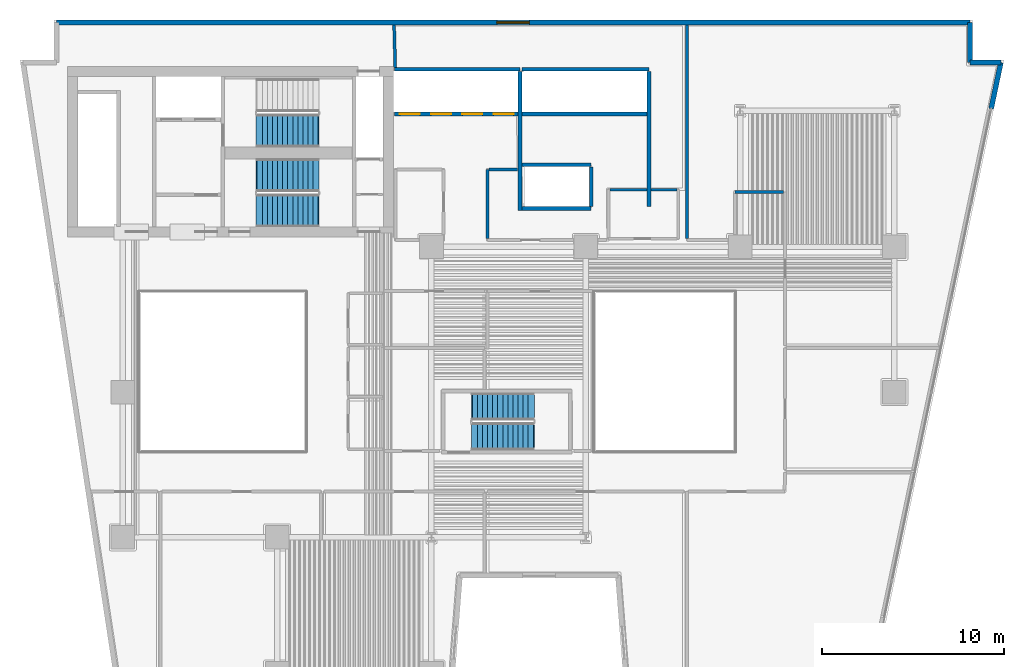
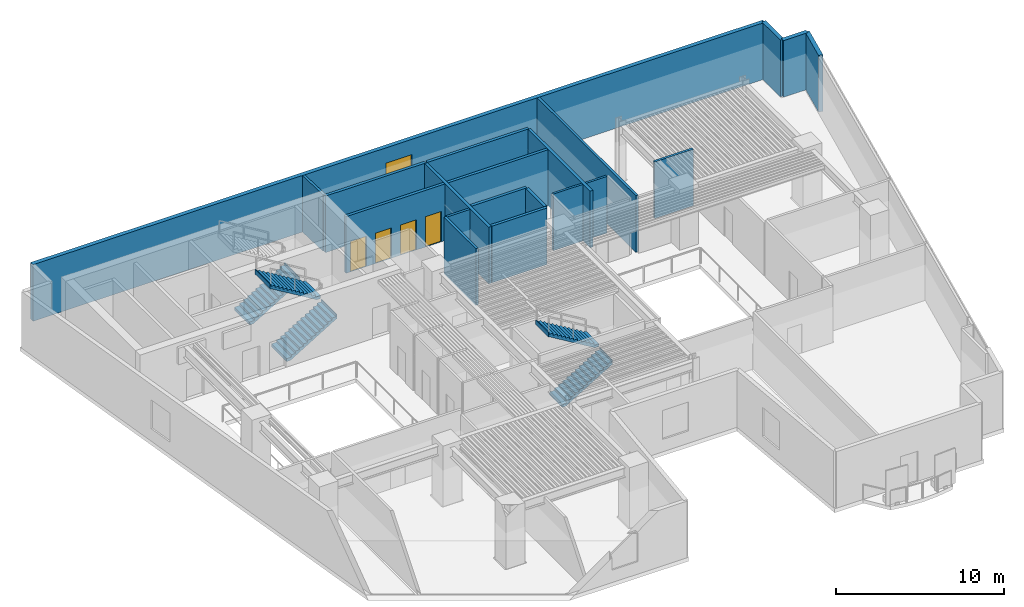
# One storey, part 6 of 12: 20 walls, 5 stair flights, 4 doors, 1 window, 5 openings, 3 elements without a shape of their own.
"""IFC4 building model written with IfcOpenShell, lengths in metres."""

from ifc_helpers import new_model, si_unit, direction, frame, frame_2d, origin, place, context, subcontext, project, spatial, polyline, rectangle, outline, extrude, material, layer, layer_set, type_object, element, fill, aggregate, save


model = new_model("IFC4")

# Units and contexts
model_context = context("Model", 3, precision=1e-05, world=origin(), true_north=direction((0.0, 1.0)))
body_context = subcontext(model_context, "Body", "Model", "MODEL_VIEW")
ifc_project = project(units=[si_unit("LENGTHUNIT", "METRE"), si_unit("AREAUNIT", "SQUARE_METRE"), si_unit("VOLUMEUNIT", "CUBIC_METRE"), si_unit("PLANEANGLEUNIT", "RADIAN"), si_unit("MASSUNIT", "GRAM", prefix="KILO")], contexts=[model_context])

# Site, building, storey
site_placement = place(None, origin())
site = spatial("IfcSite", under=ifc_project, at=site_placement, CompositionType="ELEMENT")
building_placement = place(site_placement, origin())
building = spatial("IfcBuilding", under=site, at=building_placement, Name="Caeloran Harvest Quay", CompositionType="ELEMENT")
storey_placement = place(building_placement, frame((0.0, 0.0, 88.60009765625)))
storey = spatial("IfcBuildingStorey", under=building, at=storey_placement, Name="L20", CompositionType="ELEMENT", Elevation=88.60009765625)

# Wall, opening, window
ifc_material_1 = material(Name="Precast concrete C50/60", Category="concrete")
ifc_layer_1 = layer(ifc_material_1, 0.280029296875, Name="Precast concrete C50/60")
ifc_layer_set_1 = layer_set([ifc_layer_1], Name="Precast concrete C50/60")
wall_type_1 = type_object("IfcWallType", Name="ENV-WALL-EW-280", PredefinedType="STANDARD", material=ifc_layer_set_1)
wall_1_placement = place(storey_placement, frame((4.840087890625, 43.360107421875, 0.0), z_axis=(0.0, 0.0, 1.0), x_axis=(1.0, 0.0, 0.0)))
wall_1 = element("IfcWall", 1, at=wall_1_placement, inside=storey, type_object=wall_type_1, Name="L20 Exterior Precast Concrete Facade Wall 6", PredefinedType="STANDARD", context=body_context, shape_type="SweptSolid", body=[
    extrude(rectangle(XDim=50.31982421875, YDim=0.280029296875, at=frame_2d((25.159912109375, 0.0))), origin(), (0.0, 0.0, 1.0), 4.114990234375),
])
opening_1_placement = place(wall_1_placement, frame((24.260009765625, 0.0, 0.89990234375)))
opening_1 = element("IfcOpeningElement", 2, at=opening_1_placement, cuts=wall_1, Name="Opening W-01", PredefinedType="OPENING", context=body_context, shape_type="SweptSolid", body=[
    extrude(rectangle(XDim=1.800048828125, YDim=2.10009765625, at=frame_2d((0.89990234375, 1.050048828125))), frame((0.0, 0.14990234375, 0.0), z_axis=(0.0, -1.0, 0.0), x_axis=(1.0, 0.0, 0.0)), (0.0, 0.0, 1.0), 0.300048828125),
])
ifc_material_2 = material(Name="Aluminium-Framed Low-E Laminated Glass", Category="aluminium")
window_type = type_object("IfcWindowType", Name="WIN-W-01", PartitioningType="SINGLE_PANEL", PredefinedType="WINDOW", material=ifc_material_2)
window_placement = place(opening_1_placement, origin())
window = element("IfcWindow", 3, at=window_placement, inside=storey, type_object=window_type, Name="L20 Facade Punched Window W-01", OverallHeight=2.10009765625, OverallWidth=1.800048828125, PartitioningType="SINGLE_PANEL", PredefinedType="WINDOW", context=body_context, shape_type="SweptSolid", body=[
    extrude(rectangle(XDim=1.800048828125, YDim=2.10009765625, at=frame_2d((0.89990234375, 1.050048828125))), frame((0.0, 0.030029296875, 0.0), z_axis=(0.0, -1.0, 0.0), x_axis=(1.0, 0.0, 0.0)), (0.0, 0.0, 1.0), 0.06005859375),
])
fill(opening_1, window)

# Walls
wall_2_placement = place(storey_placement, frame((55.159912109375, 43.360107421875, 0.0), z_axis=(0.0, 0.0, 1.0), x_axis=(0.0, -1.0, 0.0)))
element("IfcWall", 4, at=wall_2_placement, inside=storey, type_object=wall_type_1, Name="L20 Exterior Precast Concrete Facade Wall 7", PredefinedType="STANDARD", context=body_context, shape_type="SweptSolid", body=[
    extrude(rectangle(XDim=2.2001953125, YDim=0.280029296875, at=frame_2d((1.10009765625, 0.0))), origin(), (0.0, 0.0, 1.0), 4.114990234375),
])
wall_3_placement = place(storey_placement, frame((55.159912109375, 41.159912109375, 0.0), z_axis=(0.0, 0.0, 1.0), x_axis=(1.0, 0.0, 0.0)))
element("IfcWall", 5, at=wall_3_placement, inside=storey, type_object=wall_type_1, Name="L20 Exterior Precast Concrete Facade Wall 8", PredefinedType="STANDARD", context=body_context, shape_type="SweptSolid", body=[
    extrude(rectangle(XDim=1.705322265625, YDim=0.280029296875, at=frame_2d((0.8525390625, 0.0))), origin(), (0.0, 0.0, 1.0), 4.114990234375),
])
wall_4_placement = place(storey_placement, frame((56.865234375, 41.159912109375, 0.0), z_axis=(0.0, 0.0, 1.0), x_axis=(-0.205551409765, -0.978646319128, 0.0)))
element("IfcWall", 6, at=wall_4_placement, inside=storey, type_object=wall_type_1, Name="L20 Exterior Facade Corner Pier Wall 9A", PredefinedType="STANDARD", context=body_context, shape_type="SweptSolid", body=[
    extrude(rectangle(XDim=2.599853515625, YDim=0.280029296875, at=frame_2d((1.2998046875, 0.0))), origin(), (0.0, 0.0, 1.0), 4.114990234375),
])
ifc_material_3 = material(Name="Autoclaved Aerated Concrete Blockwork and Plasterboard", Category="masonry")
ifc_layer_2 = layer(ifc_material_3, 0.14990234375, Name="Autoclaved Aerated Concrete Blockwork and Plasterboard")
ifc_layer_set_2 = layer_set([ifc_layer_2], Name="Autoclaved Aerated Concrete Blockwork and Plasterboard")
wall_type_2 = type_object("IfcWallType", Name="INT-WALL-PW-150", PredefinedType="PARTITIONING", material=ifc_layer_set_2)
wall_5_placement = place(storey_placement, frame((37.5849609375, 34.14990234375, 0.0), z_axis=(0.0, 0.0, 1.0), x_axis=(1.0, 0.0, 0.0)))
element("IfcWall", 7, at=wall_5_placement, inside=storey, type_object=wall_type_2, Name="L20 Core Auxiliary Equipment Room Partition Wall", PredefinedType="PARTITIONING", context=body_context, shape_type="SweptSolid", body=[
    extrude(rectangle(XDim=1.43505859375, YDim=0.14990234375, at=frame_2d((0.717529296875, 0.0))), origin(), (0.0, 0.0, 1.0), 4.114990234375),
])
wall_6_placement = place(storey_placement, frame((35.330078125, 34.14990234375, 0.0), z_axis=(0.0, 0.0, 1.0), x_axis=(1.0, 0.0, 0.0)))
element("IfcWall", 8, at=wall_6_placement, inside=storey, type_object=wall_type_2, Name="L20 Core Auxiliary Equipment Room Partition Wall", PredefinedType="PARTITIONING", context=body_context, shape_type="SweptSolid", body=[
    extrude(rectangle(XDim=2.044921875, YDim=0.14990234375, at=frame_2d((1.0224609375, 0.0))), origin(), (0.0, 0.0, 1.0), 4.114990234375),
])
ifc_material_4 = material(Name="Autoclaved Aerated Concrete Blockwork", Category="masonry")
ifc_layer_3 = layer(ifc_material_4, 0.1650390625, Name="Autoclaved Aerated Concrete Blockwork")
ifc_layer_set_3 = layer_set([ifc_layer_3], Name="Autoclaved Aerated Concrete Blockwork")
wall_type_3 = type_object("IfcWallType", Name="INT-WALL-PW-165", PredefinedType="PARTITIONING", material=ifc_layer_set_3)
wall_7_placement = place(storey_placement, frame((44.892578125, 34.030029296875, 0.0), z_axis=(0.0, 0.0, 1.0), x_axis=(-1.0, 0.0, 0.0)))
element("IfcWall", 9, at=wall_7_placement, inside=storey, type_object=wall_type_3, Name="Gastronomy Seminar Room 11 Partition Wall", PredefinedType="PARTITIONING", context=body_context, shape_type="SweptSolid", body=[
    extrude(rectangle(XDim=2.672607421875, YDim=0.1650390625, at=frame_2d((1.33642578125, 0.0))), origin(), (0.0, 0.0, 1.0), 4.114990234375),
])
wall_8_placement = place(storey_placement, frame((39.580078125, 31.467529296875, 0.0), z_axis=(0.0, 0.0, 1.0), x_axis=(0.0, 1.0, 0.0)))
element("IfcWall", 10, at=wall_8_placement, inside=storey, type_object=wall_type_3, Name="Gastronomy Seminar Room 11 Partition Wall", PredefinedType="PARTITIONING", context=body_context, shape_type="SweptSolid", body=[
    extrude(rectangle(XDim=11.74755859375, YDim=0.1650390625, at=frame_2d((5.873779296875, 0.0))), origin(), (0.0, 0.0, 1.0), 4.114990234375),
])
wall_9_placement = place(storey_placement, frame((28.580078125, 31.467529296875, 0.0), z_axis=(0.0, 0.0, 1.0), x_axis=(0.0, 1.0, 0.0)))
element("IfcWall", 11, at=wall_9_placement, inside=storey, type_object=wall_type_3, Name="Seed Library Reading Lounge 12 Partition Wall", PredefinedType="PARTITIONING", context=body_context, shape_type="SweptSolid", body=[
    extrude(rectangle(XDim=3.802490234375, YDim=0.1650390625, at=frame_2d((1.9013671875, 0.0))), origin(), (0.0, 0.0, 1.0), 4.114990234375),
])
wall_10_placement = place(storey_placement, frame((28.66748046875, 35.27001953125, 0.0), z_axis=(0.0, 0.0, 1.0), x_axis=(1.0, 0.0, 0.0)))
element("IfcWall", 12, at=wall_10_placement, inside=storey, type_object=wall_type_3, Name="Seed Library Reading Lounge 12 Partition Wall", PredefinedType="PARTITIONING", context=body_context, shape_type="SweptSolid", body=[
    extrude(rectangle(XDim=1.58251953125, YDim=0.1650390625, at=frame_2d((0.791259765625, 0.0))), origin(), (0.0, 0.0, 1.0), 4.114990234375),
])
wall_11_placement = place(storey_placement, frame((23.505615234375, 40.885009765625, 0.0), z_axis=(0.0, 0.0, 1.0), x_axis=(-0.027441464163, 0.999623412113, 0.0)))
element("IfcWall", 13, at=wall_11_placement, inside=storey, type_object=wall_type_3, Name="Seed Library Reading Lounge 12 Partition Wall", PredefinedType="PARTITIONING", context=body_context, shape_type="SweptSolid", body=[
    extrude(rectangle(XDim=2.3310546875, YDim=0.1650390625, at=frame_2d((1.16552734375, 0.0))), origin(), (0.0, 0.0, 1.0), 4.114990234375),
])
ifc_material_5 = material(Name="Concrete C50/60", Category="concrete")
ifc_layer_4 = layer(ifc_material_5, 0.199951171875, Name="Concrete C50/60")
ifc_layer_set_4 = layer_set([ifc_layer_4], Name="Concrete C50/60")
wall_type_4 = type_object("IfcWallType", Name="INT-WALL-SW-200", PredefinedType="PARTITIONING", material=ifc_layer_set_4)
wall_12_placement = place(storey_placement, frame((23.469970703125, 40.780029296875, 0.0), z_axis=(0.0, 0.0, 1.0), x_axis=(1.0, 0.0, 0.0)))
element("IfcWall", 14, at=wall_12_placement, inside=storey, type_object=wall_type_4, Name="L20 Bank 1 Lift Shaft North Wall", PredefinedType="PARTITIONING", context=body_context, shape_type="SweptSolid", body=[
    extrude(rectangle(XDim=6.909912109375, YDim=0.199951171875, at=frame_2d((3.455078125, 0.0))), origin(), (0.0, 0.0, 1.0), 4.114990234375),
])
wall_13_placement = place(storey_placement, frame((30.3798828125, 33.02001953125, 0.0), z_axis=(0.0, 0.0, 1.0), x_axis=(0.0, 1.0, 0.0)))
element("IfcWall", 15, at=wall_13_placement, inside=storey, type_object=wall_type_4, Name="L20 Bank 1 Lift Shaft East Wall", PredefinedType="PARTITIONING", context=body_context, shape_type="SweptSolid", body=[
    extrude(rectangle(XDim=7.639892578125, YDim=0.199951171875, at=frame_2d((3.81982421875, 0.0))), origin(), (0.0, 0.0, 1.0), 4.114990234375),
])

# Wall, openings, doors
wall_14_placement = place(storey_placement, frame((23.469970703125, 38.320068359375, 0.0), z_axis=(0.0, 0.0, 1.0), x_axis=(1.0, 0.0, 0.0)))
wall_14 = element("IfcWall", 16, at=wall_14_placement, inside=storey, type_object=wall_type_4, Name="L20 Bank 1 Lift Landing Front Wall", PredefinedType="PARTITIONING", context=body_context, shape_type="SweptSolid", body=[
    extrude(rectangle(XDim=6.7900390625, YDim=0.199951171875, at=frame_2d((3.39501953125, 0.0))), origin(), (0.0, 0.0, 1.0), 4.114990234375),
])
opening_2_placement = place(wall_14_placement, frame((0.2900390625, 0.0, 0.0)))
opening_2 = element("IfcOpeningElement", 17, at=opening_2_placement, cuts=wall_14, Name="Opening LD-01", PredefinedType="OPENING", context=body_context, shape_type="SweptSolid", body=[
    extrude(rectangle(XDim=1.10009765625, YDim=2.199951171875, at=frame_2d((0.550048828125, 1.10009765625))), frame((0.0, 0.10986328125, 0.0), z_axis=(0.0, -1.0, 0.0), x_axis=(1.0, 0.0, 0.0)), (0.0, 0.0, 1.0), 0.219970703125),
])
opening_3_placement = place(wall_14_placement, frame((2.010009765625, 0.0, 0.0)))
opening_3 = element("IfcOpeningElement", 18, at=opening_3_placement, cuts=wall_14, Name="Opening LD-01", PredefinedType="OPENING", context=body_context, shape_type="SweptSolid", body=[
    extrude(rectangle(XDim=1.10009765625, YDim=2.199951171875, at=frame_2d((0.550048828125, 1.10009765625))), frame((0.0, 0.10986328125, 0.0), z_axis=(0.0, -1.0, 0.0), x_axis=(1.0, 0.0, 0.0)), (0.0, 0.0, 1.0), 0.219970703125),
])
opening_4_placement = place(wall_14_placement, frame((3.72998046875, 0.0, 0.0)))
opening_4 = element("IfcOpeningElement", 19, at=opening_4_placement, cuts=wall_14, Name="Opening LD-01", PredefinedType="OPENING", context=body_context, shape_type="SweptSolid", body=[
    extrude(rectangle(XDim=1.10009765625, YDim=2.199951171875, at=frame_2d((0.550048828125, 1.10009765625))), frame((0.0, 0.10986328125, 0.0), z_axis=(0.0, -1.0, 0.0), x_axis=(1.0, 0.0, 0.0)), (0.0, 0.0, 1.0), 0.219970703125),
])
opening_5_placement = place(wall_14_placement, frame((5.449951171875, 0.0, 0.0)))
opening_5 = element("IfcOpeningElement", 20, at=opening_5_placement, cuts=wall_14, Name="Opening LD-01", PredefinedType="OPENING", context=body_context, shape_type="SweptSolid", body=[
    extrude(rectangle(XDim=1.10009765625, YDim=2.199951171875, at=frame_2d((0.550048828125, 1.10009765625))), frame((0.0, 0.10986328125, 0.0), z_axis=(0.0, -1.0, 0.0), x_axis=(1.0, 0.0, 0.0)), (0.0, 0.0, 1.0), 0.219970703125),
])
ifc_material_6 = material(Name="Stainless Steel Grade 316", Category="steel")
door_type = type_object("IfcDoorType", Name="INTDOOR-LD-01", OperationType="NOTDEFINED", PredefinedType="DOOR", material=ifc_material_6)
door_1_placement = place(opening_2_placement, origin())
door_1 = element("IfcDoor", 21, at=door_1_placement, inside=storey, type_object=door_type, Name="Lift P1-1 Sliding Landing Door (L20)", OperationType="DOUBLE_DOOR_SLIDING", OverallHeight=2.199951171875, OverallWidth=1.10009765625, PredefinedType="DOOR", context=body_context, shape_type="SweptSolid", body=[
    extrude(rectangle(XDim=1.10009765625, YDim=2.199951171875, at=frame_2d((0.550048828125, 1.10009765625))), frame((0.0, 0.02490234375, 0.0), z_axis=(0.0, -1.0, 0.0), x_axis=(1.0, 0.0, 0.0)), (0.0, 0.0, 1.0), 0.050048828125),
])
fill(opening_2, door_1)
door_2_placement = place(opening_3_placement, origin())
door_2 = element("IfcDoor", 22, at=door_2_placement, inside=storey, type_object=door_type, Name="Lift P1-2 Sliding Landing Door (L20)", OperationType="DOUBLE_DOOR_SLIDING", OverallHeight=2.199951171875, OverallWidth=1.10009765625, PredefinedType="DOOR", context=body_context, shape_type="SweptSolid", body=[
    extrude(rectangle(XDim=1.10009765625, YDim=2.199951171875, at=frame_2d((0.550048828125, 1.10009765625))), frame((0.0, 0.02490234375, 0.0), z_axis=(0.0, -1.0, 0.0), x_axis=(1.0, 0.0, 0.0)), (0.0, 0.0, 1.0), 0.050048828125),
])
fill(opening_3, door_2)
door_3_placement = place(opening_4_placement, origin())
door_3 = element("IfcDoor", 23, at=door_3_placement, inside=storey, type_object=door_type, Name="Lift P1-3 Sliding Landing Door (L20)", OperationType="DOUBLE_DOOR_SLIDING", OverallHeight=2.199951171875, OverallWidth=1.10009765625, PredefinedType="DOOR", context=body_context, shape_type="SweptSolid", body=[
    extrude(rectangle(XDim=1.10009765625, YDim=2.199951171875, at=frame_2d((0.550048828125, 1.10009765625))), frame((0.0, 0.02490234375, 0.0), z_axis=(0.0, -1.0, 0.0), x_axis=(1.0, 0.0, 0.0)), (0.0, 0.0, 1.0), 0.050048828125),
])
fill(opening_4, door_3)
door_4_placement = place(opening_5_placement, origin())
door_4 = element("IfcDoor", 24, at=door_4_placement, inside=storey, type_object=door_type, Name="Lift P1-4 Sliding Landing Door (L20)", OperationType="DOUBLE_DOOR_SLIDING", OverallHeight=2.199951171875, OverallWidth=1.10009765625, PredefinedType="DOOR", context=body_context, shape_type="SweptSolid", body=[
    extrude(rectangle(XDim=1.10009765625, YDim=2.199951171875, at=frame_2d((0.550048828125, 1.10009765625))), frame((0.0, 0.02490234375, 0.0), z_axis=(0.0, -1.0, 0.0), x_axis=(1.0, 0.0, 0.0)), (0.0, 0.0, 1.0), 0.050048828125),
])
fill(opening_5, door_4)

# Walls
wall_15_placement = place(storey_placement, frame((30.5, 40.780029296875, 0.0), z_axis=(0.0, 0.0, 1.0), x_axis=(1.0, 0.0, 0.0)))
element("IfcWall", 25, at=wall_15_placement, inside=storey, type_object=wall_type_4, Name="L20 Bank 2 Lift Shaft North Wall", PredefinedType="PARTITIONING", context=body_context, shape_type="SweptSolid", body=[
    extrude(rectangle(XDim=6.97998046875, YDim=0.199951171875, at=frame_2d((3.489990234375, 0.0))), origin(), (0.0, 0.0, 1.0), 4.114990234375),
])
wall_16_placement = place(storey_placement, frame((37.47998046875, 33.239990234375, 0.0), z_axis=(0.0, 0.0, 1.0), x_axis=(0.0, 1.0, 0.0)))
element("IfcWall", 26, at=wall_16_placement, inside=storey, type_object=wall_type_4, Name="L20 Bank 2 Lift Shaft East Wall", PredefinedType="PARTITIONING", context=body_context, shape_type="SweptSolid", body=[
    extrude(rectangle(XDim=7.419921875, YDim=0.199951171875, at=frame_2d((3.7099609375, 0.0))), origin(), (0.0, 0.0, 1.0), 4.114990234375),
])
wall_17_placement = place(storey_placement, frame((30.5, 38.320068359375, 0.0), z_axis=(0.0, 0.0, 1.0), x_axis=(1.0, 0.0, 0.0)))
element("IfcWall", 27, at=wall_17_placement, inside=storey, type_object=wall_type_4, Name="L20 Bank 2 Lift Landing Front Wall", PredefinedType="PARTITIONING", context=body_context, shape_type="SweptSolid", body=[
    extrude(rectangle(XDim=6.860107421875, YDim=0.199951171875, at=frame_2d((3.43017578125, 0.0))), origin(), (0.0, 0.0, 1.0), 4.114990234375),
])
for number, where, z_axis, x_axis, name in (
    (28, (30.5, 35.530029296875, 0.0), (0.0, 0.0, 1.0), (1.0, 0.0, 0.0), "L20 Shuttle Lift Landing Front Wall"),
    (29, (30.5, 33.1201171875, 0.0), (0.0, 0.0, 1.0), (1.0, 0.0, 0.0), "L20 Shuttle Lift Shaft South Wall"),
):
    element("IfcWall", number, at=place(storey_placement, frame(where, z_axis=z_axis, x_axis=x_axis)), inside=storey, type_object=wall_type_4, Name=name, PredefinedType="PARTITIONING", context=body_context, shape_type="SweptSolid", body=[
        extrude(rectangle(XDim=3.800048828125, YDim=0.199951171875, at=frame_2d((1.89990234375, 0.0))), origin(), (0.0, 0.0, 1.0), 4.114990234375),
    ])
wall_18_placement = place(storey_placement, frame((34.300048828125, 33.239990234375, 0.0), z_axis=(0.0, 0.0, 1.0), x_axis=(0.0, 1.0, 0.0)))
element("IfcWall", 30, at=wall_18_placement, inside=storey, type_object=wall_type_4, Name="L20 Shuttle Lift Shaft East Wall", PredefinedType="PARTITIONING", context=body_context, shape_type="SweptSolid", body=[
    extrude(rectangle(XDim=2.169921875, YDim=0.199951171875, at=frame_2d((1.0849609375, 0.0))), origin(), (0.0, 0.0, 1.0), 4.114990234375),
])

# Stair, stair flight
stair_type_1 = type_object("IfcStairType", Name="STAIR-STC-180", PredefinedType="HALF_TURN_STAIR", material=ifc_material_5)
stair_1_placement = place(storey_placement, origin())
stair_1 = element("IfcStair", 31, at=stair_1_placement, inside=storey, type_object=stair_type_1, Name="L20 Core Pressurized Exit Stair ST-C1", PredefinedType="HALF_TURN_STAIR")
stair_flight_type_1 = type_object("IfcStairFlightType", Name="FLIGHT-STC-180", PredefinedType="STRAIGHT", material=ifc_material_5)
stair_flight_1_placement = place(storey_placement, frame((15.89990234375, 37.39990234375, 0.0), z_axis=(0.0, 0.0, 1.0), x_axis=(1.0, 0.0, 0.0)))
stair_flight_1 = element("IfcStairFlight", 32, at=stair_flight_1_placement, type_object=stair_flight_type_1, Name="ST-C1 flight 1", NumberOfRisers=13, NumberOfTreads=12, PredefinedType="STRAIGHT", RiserHeight=0.169230769, TreadLength=0.28, context=body_context, shape_type="SweptSolid", body=[
    extrude(outline(polyline([(-0.054931640625, -0.044921875), (-0.054931640625, -0.031494140625), (-0.054931640625, -0.018310546875), (-0.054931640625, -0.0048828125), (-0.054931640625, 0.008544921875), (-0.054931640625, 0.02197265625), (-0.054931640625, 0.035400390625), (-0.054931640625, 0.048828125), (-0.054931640625, 0.06201171875), (-0.054931640625, 0.075439453125), (-0.054931640625, 0.0888671875), (-0.054931640625, 0.102294921875), (-0.054931640625, 0.11572265625), (-0.054931640625, 0.129150390625), (-0.054931640625, 0.142333984375), (-0.054931640625, 0.15576171875), (-0.054931640625, 0.169189453125), (0.280029296875, 0.169189453125), (0.280029296875, 0.33837890625), (0.56005859375, 0.33837890625), (0.56005859375, 0.5078125), (0.840087890625, 0.5078125), (0.840087890625, 0.677001953125), (1.1201171875, 0.677001953125), (1.1201171875, 0.84619140625), (1.39990234375, 0.84619140625), (1.39990234375, 1.015380859375), (1.679931640625, 1.015380859375), (1.679931640625, 1.1845703125), (1.9599609375, 1.1845703125), (1.9599609375, 1.353759765625), (2.239990234375, 1.353759765625), (2.239990234375, 1.523193359375), (2.52001953125, 1.523193359375), (2.52001953125, 1.6923828125), (2.800048828125, 1.6923828125), (2.800048828125, 1.861572265625), (3.080078125, 1.861572265625), (3.080078125, 2.03076171875), (3.360107421875, 2.03076171875), (3.360107421875, 2.199951171875), (3.4150390625, 2.199951171875), (3.4150390625, 2.178466796875), (3.4150390625, 2.156982421875), (3.4150390625, 2.135498046875), (3.4150390625, 2.114013671875), (3.4150390625, 2.09228515625), (3.4150390625, 2.07080078125), (3.4150390625, 2.04931640625), (3.4150390625, 2.02783203125), (3.4150390625, 2.00634765625), (3.4150390625, 1.98486328125), (3.4150390625, 1.963134765625), (3.4150390625, 1.941650390625), (3.4150390625, 1.920166015625), (3.4150390625, 1.898681640625), (3.4150390625, 1.877197265625), (3.4150390625, 1.855712890625), (3.360107421875, 1.855712890625), (0.21533203125, -0.044921875), (-0.054931640625, -0.044921875)])), frame((0.0, 0.89990234375, 0.0), z_axis=(0.0, -1.0, 0.0), x_axis=(1.0, 0.0, 0.0)), (0.0, 0.0, 1.0), 1.800048828125),
])
aggregate(stair_1, [stair_flight_1])

# Stair, stair flights
stair_2_placement = place(storey_placement, origin())
stair_2 = element("IfcStair", 33, at=stair_2_placement, inside=storey, type_object=stair_type_1, Name="L20 Core Pressurized Exit Stair ST-C2", PredefinedType="HALF_TURN_STAIR")
stair_flight_2_placement = place(storey_placement, frame((15.89990234375, 33.0, 0.0), z_axis=(0.0, 0.0, 1.0), x_axis=(1.0, 0.0, 0.0)))
stair_flight_2 = element("IfcStairFlight", 34, at=stair_flight_2_placement, type_object=stair_flight_type_1, Name="ST-C2 flight 1", NumberOfRisers=13, NumberOfTreads=12, PredefinedType="STRAIGHT", RiserHeight=0.169230769, TreadLength=0.28, context=body_context, shape_type="SweptSolid", body=[
    extrude(outline(polyline([(-0.054931640625, -0.044921875), (-0.054931640625, -0.031494140625), (-0.054931640625, -0.018310546875), (-0.054931640625, -0.0048828125), (-0.054931640625, 0.008544921875), (-0.054931640625, 0.02197265625), (-0.054931640625, 0.035400390625), (-0.054931640625, 0.048828125), (-0.054931640625, 0.06201171875), (-0.054931640625, 0.075439453125), (-0.054931640625, 0.0888671875), (-0.054931640625, 0.102294921875), (-0.054931640625, 0.11572265625), (-0.054931640625, 0.129150390625), (-0.054931640625, 0.142333984375), (-0.054931640625, 0.15576171875), (-0.054931640625, 0.169189453125), (0.280029296875, 0.169189453125), (0.280029296875, 0.33837890625), (0.56005859375, 0.33837890625), (0.56005859375, 0.5078125), (0.840087890625, 0.5078125), (0.840087890625, 0.677001953125), (1.1201171875, 0.677001953125), (1.1201171875, 0.84619140625), (1.39990234375, 0.84619140625), (1.39990234375, 1.015380859375), (1.679931640625, 1.015380859375), (1.679931640625, 1.1845703125), (1.9599609375, 1.1845703125), (1.9599609375, 1.353759765625), (2.239990234375, 1.353759765625), (2.239990234375, 1.523193359375), (2.52001953125, 1.523193359375), (2.52001953125, 1.6923828125), (2.800048828125, 1.6923828125), (2.800048828125, 1.861572265625), (3.080078125, 1.861572265625), (3.080078125, 2.03076171875), (3.360107421875, 2.03076171875), (3.360107421875, 2.199951171875), (3.4150390625, 2.199951171875), (3.4150390625, 2.178466796875), (3.4150390625, 2.156982421875), (3.4150390625, 2.135498046875), (3.4150390625, 2.114013671875), (3.4150390625, 2.09228515625), (3.4150390625, 2.07080078125), (3.4150390625, 2.04931640625), (3.4150390625, 2.02783203125), (3.4150390625, 2.00634765625), (3.4150390625, 1.98486328125), (3.4150390625, 1.963134765625), (3.4150390625, 1.941650390625), (3.4150390625, 1.920166015625), (3.4150390625, 1.898681640625), (3.4150390625, 1.877197265625), (3.4150390625, 1.855712890625), (3.360107421875, 1.855712890625), (0.21533203125, -0.044921875), (-0.054931640625, -0.044921875)])), frame((0.0, 0.89990234375, 0.0), z_axis=(0.0, -1.0, 0.0), x_axis=(1.0, 0.0, 0.0)), (0.0, 0.0, 1.0), 1.800048828125),
])
stair_flight_3_placement = place(storey_placement, frame((19.260009765625, 34.949951171875, 2.199951171875), z_axis=(0.0, 0.0, 1.0), x_axis=(-1.0, 0.0, 0.0)))
stair_flight_3 = element("IfcStairFlight", 35, at=stair_flight_3_placement, type_object=stair_flight_type_1, Name="ST-C2 flight 2", NumberOfRisers=13, NumberOfTreads=12, PredefinedType="STRAIGHT", RiserHeight=0.169230769, TreadLength=0.28, context=body_context, shape_type="SweptSolid", body=[
    extrude(outline(polyline([(-0.054931640625, -0.044921875), (-0.054931640625, -0.031494140625), (-0.054931640625, -0.018310546875), (-0.054931640625, -0.0048828125), (-0.054931640625, 0.008544921875), (-0.054931640625, 0.02197265625), (-0.054931640625, 0.035400390625), (-0.054931640625, 0.048828125), (-0.054931640625, 0.06201171875), (-0.054931640625, 0.075439453125), (-0.054931640625, 0.0888671875), (-0.054931640625, 0.102294921875), (-0.054931640625, 0.11572265625), (-0.054931640625, 0.129150390625), (-0.054931640625, 0.142333984375), (-0.054931640625, 0.15576171875), (-0.054931640625, 0.169189453125), (0.280029296875, 0.169189453125), (0.280029296875, 0.33837890625), (0.56005859375, 0.33837890625), (0.56005859375, 0.5078125), (0.840087890625, 0.5078125), (0.840087890625, 0.677001953125), (1.1201171875, 0.677001953125), (1.1201171875, 0.84619140625), (1.39990234375, 0.84619140625), (1.39990234375, 1.015380859375), (1.679931640625, 1.015380859375), (1.679931640625, 1.1845703125), (1.9599609375, 1.1845703125), (1.9599609375, 1.353759765625), (2.239990234375, 1.353759765625), (2.239990234375, 1.523193359375), (2.52001953125, 1.523193359375), (2.52001953125, 1.6923828125), (2.800048828125, 1.6923828125), (2.800048828125, 1.861572265625), (3.080078125, 1.861572265625), (3.080078125, 2.03076171875), (3.360107421875, 2.03076171875), (3.360107421875, 2.199951171875), (3.4150390625, 2.199951171875), (3.4150390625, 2.178466796875), (3.4150390625, 2.156982421875), (3.4150390625, 2.135498046875), (3.4150390625, 2.114013671875), (3.4150390625, 2.09228515625), (3.4150390625, 2.07080078125), (3.4150390625, 2.04931640625), (3.4150390625, 2.02783203125), (3.4150390625, 2.00634765625), (3.4150390625, 1.98486328125), (3.4150390625, 1.963134765625), (3.4150390625, 1.941650390625), (3.4150390625, 1.920166015625), (3.4150390625, 1.898681640625), (3.4150390625, 1.877197265625), (3.4150390625, 1.855712890625), (3.360107421875, 1.855712890625), (0.21533203125, -0.044921875), (-0.054931640625, -0.044921875)])), frame((0.0, 0.89990234375, 0.0), z_axis=(0.0, -1.0, 0.0), x_axis=(1.0, 0.0, 0.0)), (0.0, 0.0, 1.0), 1.800048828125),
])
aggregate(stair_2, [stair_flight_2, stair_flight_3])

stair_type_2 = type_object("IfcStairType", Name="STAIR-STW-150", PredefinedType="HALF_TURN_STAIR", material=ifc_material_5)
stair_3_placement = place(storey_placement, origin())
stair_3 = element("IfcStair", 36, at=stair_3_placement, inside=storey, type_object=stair_type_2, Name="L20 East Wing Protected Exit Stair ST-W1", PredefinedType="HALF_TURN_STAIR")
stair_flight_type_2 = type_object("IfcStairFlightType", Name="FLIGHT-STW-150", PredefinedType="STRAIGHT", material=ifc_material_5)
stair_flight_4_placement = place(storey_placement, frame((27.75, 20.550048828125, 0.0), z_axis=(0.0, 0.0, 1.0), x_axis=(1.0, 0.0, 0.0)))
stair_flight_4 = element("IfcStairFlight", 37, at=stair_flight_4_placement, type_object=stair_flight_type_2, Name="ST-W1 flight 1", NumberOfRisers=13, NumberOfTreads=12, PredefinedType="STRAIGHT", RiserHeight=0.169230769, TreadLength=0.28, context=body_context, shape_type="SweptSolid", body=[
    extrude(outline(polyline([(-0.054931640625, -0.044921875), (-0.054931640625, -0.031494140625), (-0.054931640625, -0.018310546875), (-0.054931640625, -0.0048828125), (-0.054931640625, 0.008544921875), (-0.054931640625, 0.02197265625), (-0.054931640625, 0.035400390625), (-0.054931640625, 0.048828125), (-0.054931640625, 0.06201171875), (-0.054931640625, 0.075439453125), (-0.054931640625, 0.0888671875), (-0.054931640625, 0.102294921875), (-0.054931640625, 0.11572265625), (-0.054931640625, 0.129150390625), (-0.054931640625, 0.142333984375), (-0.054931640625, 0.15576171875), (-0.054931640625, 0.169189453125), (0.280029296875, 0.169189453125), (0.280029296875, 0.33837890625), (0.56005859375, 0.33837890625), (0.56005859375, 0.5078125), (0.840087890625, 0.5078125), (0.840087890625, 0.677001953125), (1.1201171875, 0.677001953125), (1.1201171875, 0.84619140625), (1.39990234375, 0.84619140625), (1.39990234375, 1.015380859375), (1.679931640625, 1.015380859375), (1.679931640625, 1.1845703125), (1.9599609375, 1.1845703125), (1.9599609375, 1.353759765625), (2.239990234375, 1.353759765625), (2.239990234375, 1.523193359375), (2.52001953125, 1.523193359375), (2.52001953125, 1.6923828125), (2.800048828125, 1.6923828125), (2.800048828125, 1.861572265625), (3.080078125, 1.861572265625), (3.080078125, 2.03076171875), (3.360107421875, 2.03076171875), (3.360107421875, 2.199951171875), (3.4150390625, 2.199951171875), (3.4150390625, 2.178466796875), (3.4150390625, 2.156982421875), (3.4150390625, 2.135498046875), (3.4150390625, 2.114013671875), (3.4150390625, 2.09228515625), (3.4150390625, 2.07080078125), (3.4150390625, 2.04931640625), (3.4150390625, 2.02783203125), (3.4150390625, 2.00634765625), (3.4150390625, 1.98486328125), (3.4150390625, 1.963134765625), (3.4150390625, 1.941650390625), (3.4150390625, 1.920166015625), (3.4150390625, 1.898681640625), (3.4150390625, 1.877197265625), (3.4150390625, 1.855712890625), (3.360107421875, 1.855712890625), (0.21533203125, -0.044921875), (-0.054931640625, -0.044921875)])), frame((0.0, 0.75, 0.0), z_axis=(0.0, -1.0, 0.0), x_axis=(1.0, 0.0, 0.0)), (0.0, 0.0, 1.0), 1.5),
])
stair_flight_5_placement = place(storey_placement, frame((31.110107421875, 22.199951171875, 2.199951171875), z_axis=(0.0, 0.0, 1.0), x_axis=(-1.0, 0.0, 0.0)))
stair_flight_5 = element("IfcStairFlight", 38, at=stair_flight_5_placement, type_object=stair_flight_type_2, Name="ST-W1 flight 2", NumberOfRisers=13, NumberOfTreads=12, PredefinedType="STRAIGHT", RiserHeight=0.169230769, TreadLength=0.28, context=body_context, shape_type="SweptSolid", body=[
    extrude(outline(polyline([(-0.054931640625, -0.044921875), (-0.054931640625, -0.031494140625), (-0.054931640625, -0.018310546875), (-0.054931640625, -0.0048828125), (-0.054931640625, 0.008544921875), (-0.054931640625, 0.02197265625), (-0.054931640625, 0.035400390625), (-0.054931640625, 0.048828125), (-0.054931640625, 0.06201171875), (-0.054931640625, 0.075439453125), (-0.054931640625, 0.0888671875), (-0.054931640625, 0.102294921875), (-0.054931640625, 0.11572265625), (-0.054931640625, 0.129150390625), (-0.054931640625, 0.142333984375), (-0.054931640625, 0.15576171875), (-0.054931640625, 0.169189453125), (0.280029296875, 0.169189453125), (0.280029296875, 0.33837890625), (0.56005859375, 0.33837890625), (0.56005859375, 0.5078125), (0.840087890625, 0.5078125), (0.840087890625, 0.677001953125), (1.1201171875, 0.677001953125), (1.1201171875, 0.84619140625), (1.39990234375, 0.84619140625), (1.39990234375, 1.015380859375), (1.679931640625, 1.015380859375), (1.679931640625, 1.1845703125), (1.9599609375, 1.1845703125), (1.9599609375, 1.353759765625), (2.239990234375, 1.353759765625), (2.239990234375, 1.523193359375), (2.52001953125, 1.523193359375), (2.52001953125, 1.6923828125), (2.800048828125, 1.6923828125), (2.800048828125, 1.861572265625), (3.080078125, 1.861572265625), (3.080078125, 2.03076171875), (3.360107421875, 2.03076171875), (3.360107421875, 2.199951171875), (3.4150390625, 2.199951171875), (3.4150390625, 2.178466796875), (3.4150390625, 2.156982421875), (3.4150390625, 2.135498046875), (3.4150390625, 2.114013671875), (3.4150390625, 2.09228515625), (3.4150390625, 2.07080078125), (3.4150390625, 2.04931640625), (3.4150390625, 2.02783203125), (3.4150390625, 2.00634765625), (3.4150390625, 1.98486328125), (3.4150390625, 1.963134765625), (3.4150390625, 1.941650390625), (3.4150390625, 1.920166015625), (3.4150390625, 1.898681640625), (3.4150390625, 1.877197265625), (3.4150390625, 1.855712890625), (3.360107421875, 1.855712890625), (0.21533203125, -0.044921875), (-0.054931640625, -0.044921875)])), frame((0.0, 0.75, 0.0), z_axis=(0.0, -1.0, 0.0), x_axis=(1.0, 0.0, 0.0)), (0.0, 0.0, 1.0), 1.5),
])
aggregate(stair_3, [stair_flight_4, stair_flight_5])

save(model, "model.ifc")
